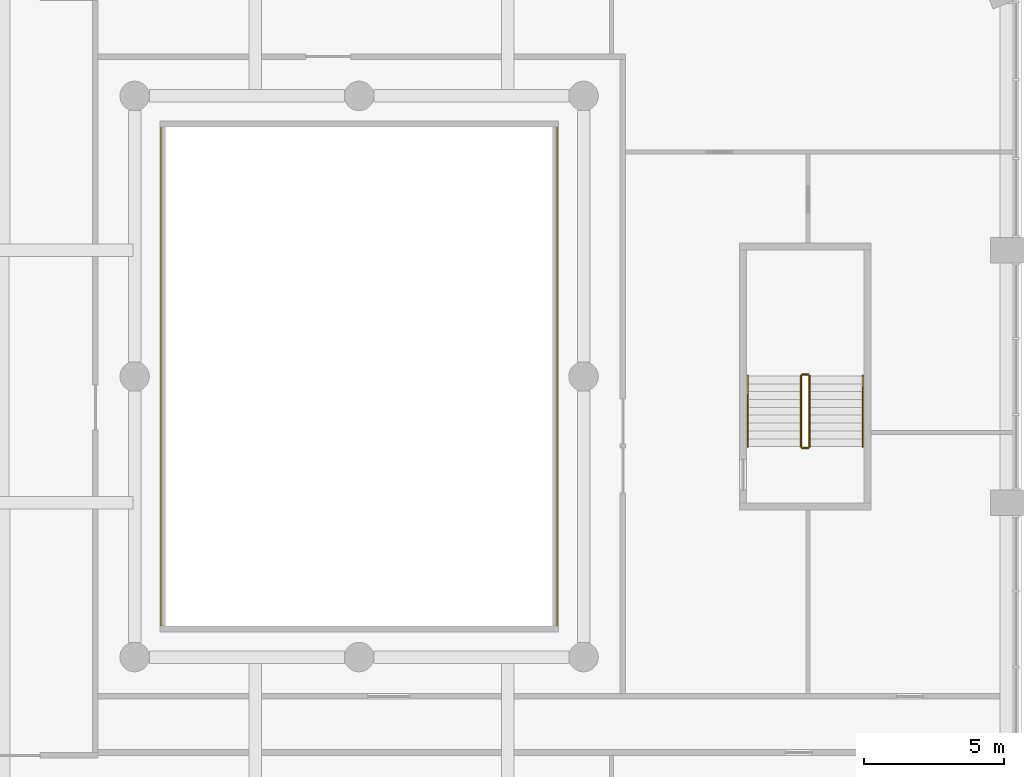
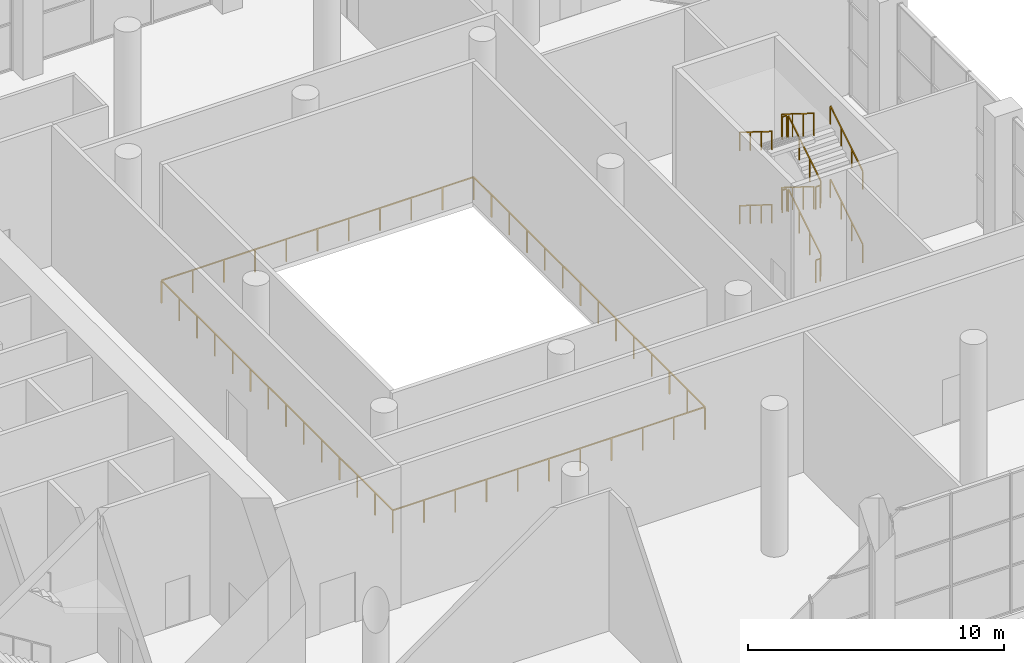
# One storey, part 19 of 22: 13 railings.
"""IFC4 building model written with IfcOpenShell, lengths in metres."""

import ifcopenshell
import ifcopenshell.guid

model = None  # the IFC model being written
_history = None  # IfcOwnerHistory: only IFC2X3 demands one
_inside = {}  # id of a spatial element -> (the spatial element, [elements in it])
_under = {}  # id of a project, library or spatial element -> (it, [spatial elements below it])
_declared = {}  # id of a project -> (the project, [libraries it declares])
_typed = {}  # id of a type object -> (the type object, [elements of that type])
_made_of = {}  # id of a material, layer set ... -> (it, [elements and type objects made of it])


def new_model(schema):
    """Start an empty IFC model of exactly this schema.

    Asked for "IFC4X3", IfcOpenShell would pick the latest addendum, in which some entities
    have other attributes; the version numbers below select the first issue.
    IFC2X3 requires an IfcOwnerHistory on every rooted entity: one is made here for all.
    """
    global model, _history
    if schema == "IFC4X3":
        model = ifcopenshell.file(schema_version=(4, 3, 0, 0))
    else:
        model = ifcopenshell.file(schema=schema)
    _inside.clear()
    _under.clear()
    _declared.clear()
    _typed.clear()
    _made_of.clear()
    _history = None
    if model.schema == "IFC2X3":
        org = make("IfcOrganization", Name="unknown")
        user = make(
            "IfcPersonAndOrganization",
            ThePerson=make("IfcPerson", FamilyName="unknown"),
            TheOrganization=org,
        )
        app = make(
            "IfcApplication",
            ApplicationDeveloper=org,
            Version="unknown",
            ApplicationFullName="unknown",
            ApplicationIdentifier="unknown",
        )
        _history = make(
            "IfcOwnerHistory",
            OwningUser=user,
            OwningApplication=app,
            ChangeAction="ADDED",
            CreationDate=0,
        )
    return model


def make(cls, **values):
    """One entity of the class cls with the attributes given. An attribute that is None is left unset."""
    return model.create_entity(
        cls, **{name: value for name, value in values.items() if value is not None}
    )


def rooted(cls, **values):
    """An entity with a GlobalId (a new one), such as an element, a storey or a relation."""
    return make(cls, GlobalId=ifcopenshell.guid.new(), OwnerHistory=_history, **values)


def si_unit(unit_type, name, prefix=None):
    """IfcSIUnit, for example si_unit("LENGTHUNIT", "METRE", prefix="MILLI")."""
    return make("IfcSIUnit", UnitType=unit_type, Prefix=prefix, Name=name)


def assignment(units):
    """IfcUnitAssignment: the units of a project."""
    return None if units is None else make("IfcUnitAssignment", Units=units)


def point(xyz):
    """IfcCartesianPoint."""
    return None if xyz is None else make("IfcCartesianPoint", Coordinates=xyz)


def direction(xyz):
    """IfcDirection."""
    return None if xyz is None else make("IfcDirection", DirectionRatios=xyz)


def frame(location, z_axis=None, x_axis=None):
    """IfcAxis2Placement3D, a coordinate frame: its origin and axes. An axis left out is left unset."""
    return make(
        "IfcAxis2Placement3D",
        Location=point(location),
        Axis=direction(z_axis),
        RefDirection=direction(x_axis),
    )


def frame_2d(location, x_axis=None):
    """IfcAxis2Placement2D, a coordinate frame in the plane: its origin and x axis."""
    return make(
        "IfcAxis2Placement2D", Location=point(location), RefDirection=direction(x_axis)
    )


def origin():
    """The frame at (0, 0, 0) with its axes left unset."""
    return frame((0.0, 0.0, 0.0))


def origin_2d():
    """The frame at (0, 0) in the plane with its x axis left unset."""
    return frame_2d((0.0, 0.0))


def place(relative_to, where):
    """IfcLocalPlacement: puts the frame where relative to a parent placement (None: the world)."""
    return make(
        "IfcLocalPlacement", PlacementRelTo=relative_to, RelativePlacement=where
    )


def context(
    kind, dimensions, precision=None, world=None, true_north=None, identifier=None
):
    """IfcGeometricRepresentationContext, for example the 3D "Model" context."""
    return make(
        "IfcGeometricRepresentationContext",
        ContextIdentifier=identifier,
        ContextType=kind,
        CoordinateSpaceDimension=dimensions,
        Precision=precision,
        WorldCoordinateSystem=world,
        TrueNorth=true_north,
    )


def subcontext(parent, identifier, kind, view, scale=None):
    """IfcGeometricRepresentationSubContext, for example "Body" below "Model"."""
    return make(
        "IfcGeometricRepresentationSubContext",
        ContextIdentifier=identifier,
        ContextType=kind,
        ParentContext=parent,
        TargetScale=scale,
        TargetView=view,
    )


def project(units=None, contexts=None):
    """IfcProject with its units and contexts."""
    return rooted(
        "IfcProject",
        Name="project",
        RepresentationContexts=contexts,
        UnitsInContext=assignment(units),
    )


def spatial(cls, under=None, at=None, **own):
    """A site, building, storey or space (cls), placed at a placement, below another one or the project."""
    s = rooted(cls, ObjectPlacement=at, **own)
    if under is not None:
        _under.setdefault(under.id(), (under, []))[1].append(s)
    return s


def profile(cls, at=None, kind="AREA", **sizes):
    """A parametric profile (cls). Its sizes go by their IFC names, for example OverallWidth=200.0."""
    return make(cls, ProfileType=kind, Position=at, **sizes)


def rectangle(**sizes):
    """IfcRectangleProfileDef."""
    return profile("IfcRectangleProfileDef", **sizes)


def extrude(swept, where, along, depth):
    """IfcExtrudedAreaSolid: the profile swept, set in the frame where, extruded along a direction by depth."""
    return make(
        "IfcExtrudedAreaSolid",
        SweptArea=swept,
        Position=where,
        ExtrudedDirection=direction(along),
        Depth=depth,
    )


def shape(context_of_items, identifier, shape_type, items):
    """IfcShapeRepresentation: the items that make up one representation, for example the "Body"."""
    return make(
        "IfcShapeRepresentation",
        ContextOfItems=context_of_items,
        RepresentationIdentifier=identifier,
        RepresentationType=shape_type,
        Items=items,
    )


def material(Name=None, Category=None):
    """IfcMaterial."""
    return make("IfcMaterial", Name=Name, Category=Category)


def made_of(thing, what):
    """Note that an element or type object is made of a material, layer set ...; save() writes the relation."""
    if what is not None:
        _made_of.setdefault(what.id(), (what, []))[1].append(thing)
    return thing


def type_object(cls, material=None, **own):
    """A type object (cls), such as IfcWallType, which elements share."""
    return made_of(rooted(cls, **own), material)


def element(
    cls,
    number,
    at=None,
    inside=None,
    cuts=None,
    type_object=None,
    material=None,
    context=None,
    identifier="Body",
    shape_type=None,
    held_by="IfcProductDefinitionShape",
    body=None,
    shapes=None,
    **own,
):
    """One element of the class cls, such as IfcWall. Its Tag is "e" and its number.

    at: its placement. inside: the storey or other place that contains it. cuts: it is an
    opening in that element (IfcRelVoidsElement). A single representation is given by context,
    identifier, shape_type and body (its items); several are given by shapes. held_by: the class
    of the entity that holds the representations. save() writes the other relations.
    """
    e = rooted(cls, Tag="e%d" % number, ObjectPlacement=at, **own)
    if body is not None:
        shapes = [shape(context, identifier, shape_type, body)]
    if shapes is not None:
        e.Representation = make(held_by, Representations=shapes)
    if inside is not None:
        _inside.setdefault(inside.id(), (inside, []))[1].append(e)
    if cuts is not None:
        rooted(
            "IfcRelVoidsElement", RelatingBuildingElement=cuts, RelatedOpeningElement=e
        )
    if type_object is not None:
        _typed.setdefault(type_object.id(), (type_object, []))[1].append(e)
    return made_of(e, material)


def aggregate(whole, parts):
    """IfcRelAggregates: a whole, such as a stair, and the parts it consists of."""
    return rooted("IfcRelAggregates", RelatingObject=whole, RelatedObjects=parts)


def save(model, path):
    """Write the relations noted so far, then the file.

    IfcRelAggregates (storeys below a building ...), IfcRelContainedInSpatialStructure (elements
    in a storey), IfcRelDefinesByType, IfcRelAssociatesMaterial and IfcRelDeclares: one each for
    every whole, place, type object, material and project.
    """
    for whole, parts in _under.values():
        aggregate(whole, parts)
    for where, things in _inside.values():
        rooted(
            "IfcRelContainedInSpatialStructure",
            RelatedElements=things,
            RelatingStructure=where,
        )
    for kind, things in _typed.values():
        rooted("IfcRelDefinesByType", RelatedObjects=things, RelatingType=kind)
    for what, things in _made_of.values():
        rooted("IfcRelAssociatesMaterial", RelatedObjects=things, RelatingMaterial=what)
    for by, libraries in _declared.values():
        rooted("IfcRelDeclares", RelatingContext=by, RelatedDefinitions=libraries)
    model.write(path)


model = new_model("IFC4")

# Units and contexts
model_context = context("Model", 3, precision=1e-05, world=origin(), true_north=direction((0.0, 1.0)))
body_context = subcontext(model_context, "Body", "Model", "MODEL_VIEW")
ifc_project = project(units=[si_unit("LENGTHUNIT", "METRE"), si_unit("AREAUNIT", "SQUARE_METRE"), si_unit("VOLUMEUNIT", "CUBIC_METRE"), si_unit("PLANEANGLEUNIT", "RADIAN"), si_unit("MASSUNIT", "GRAM", prefix="KILO")], contexts=[model_context])

# Site, building, storey
site_placement = place(None, origin())
site = spatial("IfcSite", under=ifc_project, at=site_placement, CompositionType="ELEMENT")
building_placement = place(site_placement, origin())
building = spatial("IfcBuilding", under=site, at=building_placement, Name="Cypress Arch Tower", CompositionType="ELEMENT")
storey_placement = place(building_placement, frame((0.0, 0.0, 145.5)))
storey = spatial("IfcBuildingStorey", under=building, at=storey_placement, Name="L32", CompositionType="ELEMENT", Elevation=145.5)

# Railings
ifc_material_1 = material(Name="Stainless steel posts and handrail, laminated glass infill", Category="steel")
railing_type_1 = type_object("IfcRailingType", Name="Atrium guard GR1100A", PredefinedType="GUARDRAIL", material=ifc_material_1)
railing_1_placement = place(storey_placement, frame((8.050048828125, -9.050048828125, 0.0)))
element("IfcRailing", 1, at=railing_1_placement, inside=storey, type_object=railing_type_1, Name="Atrium guard L32", PredefinedType="GUARDRAIL", context=body_context, shape_type="SweptSolid", body=[
    extrude(rectangle(XDim=0.050048828125, YDim=0.050048828125, at=origin_2d()), frame((0.0, 0.0, 1.0751953125), z_axis=(-1.0, 0.0, 0.0), x_axis=(0.0, -1.0, 0.0)), (0.0, 0.0, 1.0), 14.10009765625),
    extrude(rectangle(XDim=0.050048828125, YDim=0.050048828125, at=origin_2d()), frame((-14.10009765625, 0.0, 1.0751953125), z_axis=(0.0, 1.0, 0.0), x_axis=(-1.0, 0.0, 0.0)), (0.0, 0.0, 1.0), 18.10009765625),
    extrude(rectangle(XDim=0.050048828125, YDim=0.050048828125, at=origin_2d()), frame((-14.10009765625, 18.10009765625, 1.0751953125), z_axis=(1.0, 0.0, 0.0), x_axis=(0.0, 1.0, 0.0)), (0.0, 0.0, 1.0), 14.10009765625),
    extrude(rectangle(XDim=0.050048828125, YDim=0.050048828125, at=origin_2d()), frame((0.0, 18.10009765625, 1.0751953125), z_axis=(0.0, -1.0, 0.0), x_axis=(1.0, 0.0, 0.0)), (0.0, 0.0, 1.0), 18.10009765625),
    extrude(rectangle(XDim=0.050048828125, YDim=0.050048828125, at=origin_2d()), origin(), (0.0, 0.0, 1.0), 1.050048828125),
    extrude(rectangle(XDim=0.050048828125, YDim=0.050048828125, at=origin_2d()), frame((-1.409912109375, 0.0, 0.0)), (0.0, 0.0, 1.0), 1.050048828125),
    extrude(rectangle(XDim=0.050048828125, YDim=0.050048828125, at=origin_2d()), frame((-2.820068359375, 0.0, 0.0)), (0.0, 0.0, 1.0), 1.050048828125),
    extrude(rectangle(XDim=0.050048828125, YDim=0.050048828125, at=origin_2d()), frame((-4.22998046875, 0.0, 0.0)), (0.0, 0.0, 1.0), 1.050048828125),
    extrude(rectangle(XDim=0.050048828125, YDim=0.050048828125, at=origin_2d()), frame((-5.64013671875, 0.0, 0.0)), (0.0, 0.0, 1.0), 1.050048828125),
    extrude(rectangle(XDim=0.050048828125, YDim=0.050048828125, at=origin_2d()), frame((-7.050048828125, 0.0, 0.0)), (0.0, 0.0, 1.0), 1.050048828125),
    extrude(rectangle(XDim=0.050048828125, YDim=0.050048828125, at=origin_2d()), frame((-8.4599609375, 0.0, 0.0)), (0.0, 0.0, 1.0), 1.050048828125),
    extrude(rectangle(XDim=0.050048828125, YDim=0.050048828125, at=origin_2d()), frame((-9.8701171875, 0.0, 0.0)), (0.0, 0.0, 1.0), 1.050048828125),
    extrude(rectangle(XDim=0.050048828125, YDim=0.050048828125, at=origin_2d()), frame((-11.280029296875, 0.0, 0.0)), (0.0, 0.0, 1.0), 1.050048828125),
    extrude(rectangle(XDim=0.050048828125, YDim=0.050048828125, at=origin_2d()), frame((-12.690185546875, 0.0, 0.0)), (0.0, 0.0, 1.0), 1.050048828125),
    extrude(rectangle(XDim=0.050048828125, YDim=0.050048828125, at=origin_2d()), frame((-14.10009765625, 0.0, 0.0)), (0.0, 0.0, 1.0), 1.050048828125),
    extrude(rectangle(XDim=0.050048828125, YDim=0.050048828125, at=origin_2d()), frame((-14.10009765625, 1.392333984375, 0.0)), (0.0, 0.0, 1.0), 1.050048828125),
    extrude(rectangle(XDim=0.050048828125, YDim=0.050048828125, at=origin_2d()), frame((-14.10009765625, 2.78466796875, 0.0)), (0.0, 0.0, 1.0), 1.050048828125),
    extrude(rectangle(XDim=0.050048828125, YDim=0.050048828125, at=origin_2d()), frame((-14.10009765625, 4.177001953125, 0.0)), (0.0, 0.0, 1.0), 1.050048828125),
    extrude(rectangle(XDim=0.050048828125, YDim=0.050048828125, at=origin_2d()), frame((-14.10009765625, 5.5693359375, 0.0)), (0.0, 0.0, 1.0), 1.050048828125),
    extrude(rectangle(XDim=0.050048828125, YDim=0.050048828125, at=origin_2d()), frame((-14.10009765625, 6.961669921875, 0.0)), (0.0, 0.0, 1.0), 1.050048828125),
    extrude(rectangle(XDim=0.050048828125, YDim=0.050048828125, at=origin_2d()), frame((-14.10009765625, 8.35400390625, 0.0)), (0.0, 0.0, 1.0), 1.050048828125),
    extrude(rectangle(XDim=0.050048828125, YDim=0.050048828125, at=origin_2d()), frame((-14.10009765625, 9.74609375, 0.0)), (0.0, 0.0, 1.0), 1.050048828125),
    extrude(rectangle(XDim=0.050048828125, YDim=0.050048828125, at=origin_2d()), frame((-14.10009765625, 11.138427734375, 0.0)), (0.0, 0.0, 1.0), 1.050048828125),
    extrude(rectangle(XDim=0.050048828125, YDim=0.050048828125, at=origin_2d()), frame((-14.10009765625, 12.53076171875, 0.0)), (0.0, 0.0, 1.0), 1.050048828125),
    extrude(rectangle(XDim=0.050048828125, YDim=0.050048828125, at=origin_2d()), frame((-14.10009765625, 13.923095703125, 0.0)), (0.0, 0.0, 1.0), 1.050048828125),
    extrude(rectangle(XDim=0.050048828125, YDim=0.050048828125, at=origin_2d()), frame((-14.10009765625, 15.3154296875, 0.0)), (0.0, 0.0, 1.0), 1.050048828125),
    extrude(rectangle(XDim=0.050048828125, YDim=0.050048828125, at=origin_2d()), frame((-14.10009765625, 16.707763671875, 0.0)), (0.0, 0.0, 1.0), 1.050048828125),
    extrude(rectangle(XDim=0.050048828125, YDim=0.050048828125, at=origin_2d()), frame((-14.10009765625, 18.10009765625, 0.0)), (0.0, 0.0, 1.0), 1.050048828125),
    extrude(rectangle(XDim=0.050048828125, YDim=0.050048828125, at=origin_2d()), frame((-12.690185546875, 18.10009765625, 0.0)), (0.0, 0.0, 1.0), 1.050048828125),
    extrude(rectangle(XDim=0.050048828125, YDim=0.050048828125, at=origin_2d()), frame((-11.280029296875, 18.10009765625, 0.0)), (0.0, 0.0, 1.0), 1.050048828125),
    extrude(rectangle(XDim=0.050048828125, YDim=0.050048828125, at=origin_2d()), frame((-9.8701171875, 18.10009765625, 0.0)), (0.0, 0.0, 1.0), 1.050048828125),
    extrude(rectangle(XDim=0.050048828125, YDim=0.050048828125, at=origin_2d()), frame((-8.4599609375, 18.10009765625, 0.0)), (0.0, 0.0, 1.0), 1.050048828125),
    extrude(rectangle(XDim=0.050048828125, YDim=0.050048828125, at=origin_2d()), frame((-7.050048828125, 18.10009765625, 0.0)), (0.0, 0.0, 1.0), 1.050048828125),
    extrude(rectangle(XDim=0.050048828125, YDim=0.050048828125, at=origin_2d()), frame((-5.64013671875, 18.10009765625, 0.0)), (0.0, 0.0, 1.0), 1.050048828125),
    extrude(rectangle(XDim=0.050048828125, YDim=0.050048828125, at=origin_2d()), frame((-4.22998046875, 18.10009765625, 0.0)), (0.0, 0.0, 1.0), 1.050048828125),
    extrude(rectangle(XDim=0.050048828125, YDim=0.050048828125, at=origin_2d()), frame((-2.820068359375, 18.10009765625, 0.0)), (0.0, 0.0, 1.0), 1.050048828125),
    extrude(rectangle(XDim=0.050048828125, YDim=0.050048828125, at=origin_2d()), frame((-1.409912109375, 18.10009765625, 0.0)), (0.0, 0.0, 1.0), 1.050048828125),
    extrude(rectangle(XDim=0.050048828125, YDim=0.050048828125, at=origin_2d()), frame((0.0, 18.10009765625, 0.0)), (0.0, 0.0, 1.0), 1.050048828125),
    extrude(rectangle(XDim=0.050048828125, YDim=0.050048828125, at=origin_2d()), frame((0.0, 16.707763671875, 0.0)), (0.0, 0.0, 1.0), 1.050048828125),
    extrude(rectangle(XDim=0.050048828125, YDim=0.050048828125, at=origin_2d()), frame((0.0, 15.3154296875, 0.0)), (0.0, 0.0, 1.0), 1.050048828125),
    extrude(rectangle(XDim=0.050048828125, YDim=0.050048828125, at=origin_2d()), frame((0.0, 13.923095703125, 0.0)), (0.0, 0.0, 1.0), 1.050048828125),
    extrude(rectangle(XDim=0.050048828125, YDim=0.050048828125, at=origin_2d()), frame((0.0, 12.53076171875, 0.0)), (0.0, 0.0, 1.0), 1.050048828125),
    extrude(rectangle(XDim=0.050048828125, YDim=0.050048828125, at=origin_2d()), frame((0.0, 11.138427734375, 0.0)), (0.0, 0.0, 1.0), 1.050048828125),
    extrude(rectangle(XDim=0.050048828125, YDim=0.050048828125, at=origin_2d()), frame((0.0, 9.74609375, 0.0)), (0.0, 0.0, 1.0), 1.050048828125),
    extrude(rectangle(XDim=0.050048828125, YDim=0.050048828125, at=origin_2d()), frame((0.0, 8.35400390625, 0.0)), (0.0, 0.0, 1.0), 1.050048828125),
    extrude(rectangle(XDim=0.050048828125, YDim=0.050048828125, at=origin_2d()), frame((0.0, 6.961669921875, 0.0)), (0.0, 0.0, 1.0), 1.050048828125),
    extrude(rectangle(XDim=0.050048828125, YDim=0.050048828125, at=origin_2d()), frame((0.0, 5.5693359375, 0.0)), (0.0, 0.0, 1.0), 1.050048828125),
    extrude(rectangle(XDim=0.050048828125, YDim=0.050048828125, at=origin_2d()), frame((0.0, 4.177001953125, 0.0)), (0.0, 0.0, 1.0), 1.050048828125),
    extrude(rectangle(XDim=0.050048828125, YDim=0.050048828125, at=origin_2d()), frame((0.0, 2.78466796875, 0.0)), (0.0, 0.0, 1.0), 1.050048828125),
    extrude(rectangle(XDim=0.050048828125, YDim=0.050048828125, at=origin_2d()), frame((0.0, 1.392333984375, 0.0)), (0.0, 0.0, 1.0), 1.050048828125),
])
ifc_material_2 = material(Name="Black powder-coated steel square bar 48 mm", Category="steel")
railing_type_2 = type_object("IfcRailingType", Name="Stair handrail HR1", PredefinedType="HANDRAIL", material=ifc_material_2)
railing_2_placement = place(storey_placement, frame((18.949951171875, -2.5, 0.175048828125)))
element("IfcRailing", 2, at=railing_2_placement, inside=storey, type_object=railing_type_2, Name="L32 C stair handrail 1", PredefinedType="HANDRAIL", context=body_context, shape_type="SweptSolid", body=[
    extrude(rectangle(XDim=0.048095703125, YDim=0.048095703125, at=origin_2d()), frame((0.0, 0.0, 0.8759765625), z_axis=(0.0, 0.848007534815, 0.529984170421), x_axis=(-1.0, 0.0, 0.0)), (0.0, 0.0, 1.0), 2.9716796875),
    extrude(rectangle(XDim=0.0419921875, YDim=0.0419921875, at=origin_2d()), origin(), (0.0, 0.0, 1.0), 0.851806640625),
    extrude(rectangle(XDim=0.0419921875, YDim=0.0419921875, at=origin_2d()), frame((0.0, 0.840087890625, 0.52490234375)), (0.0, 0.0, 1.0), 0.851806640625),
    extrude(rectangle(XDim=0.0419921875, YDim=0.0419921875, at=origin_2d()), frame((0.0, 1.679931640625, 1.050048828125)), (0.0, 0.0, 1.0), 0.851806640625),
    extrude(rectangle(XDim=0.0419921875, YDim=0.0419921875, at=origin_2d()), frame((0.0, 2.52001953125, 1.574951171875)), (0.0, 0.0, 1.0), 0.851806640625),
])
railing_3_placement = place(storey_placement, frame((14.85009765625, 0.02001953125, 1.925048828125)))
element("IfcRailing", 3, at=railing_3_placement, inside=storey, type_object=railing_type_2, Name="L32 C stair handrail 2", PredefinedType="HANDRAIL", context=body_context, shape_type="SweptSolid", body=[
    extrude(rectangle(XDim=0.048095703125, YDim=0.048095703125, at=origin_2d()), frame((0.0, 0.0, 0.8759765625), z_axis=(0.0, -0.848007534815, 0.529984170421), x_axis=(1.0, 0.0, 0.0)), (0.0, 0.0, 1.0), 2.9716796875),
    extrude(rectangle(XDim=0.0419921875, YDim=0.0419921875, at=origin_2d()), origin(), (0.0, 0.0, 1.0), 0.851806640625),
    extrude(rectangle(XDim=0.0419921875, YDim=0.0419921875, at=origin_2d()), frame((0.0, -0.840087890625, 0.52490234375)), (0.0, 0.0, 1.0), 0.851806640625),
    extrude(rectangle(XDim=0.0419921875, YDim=0.0419921875, at=origin_2d()), frame((0.0, -1.679931640625, 1.050048828125)), (0.0, 0.0, 1.0), 0.851806640625),
    extrude(rectangle(XDim=0.0419921875, YDim=0.0419921875, at=origin_2d()), frame((0.0, -2.52001953125, 1.574951171875)), (0.0, 0.0, 1.0), 0.851806640625),
])
railing_4_placement = place(storey_placement, frame((18.949951171875, -2.5, 3.675048828125)))
element("IfcRailing", 4, at=railing_4_placement, inside=storey, type_object=railing_type_2, Name="L32 C stair handrail 3", PredefinedType="HANDRAIL", context=body_context, shape_type="SweptSolid", body=[
    extrude(rectangle(XDim=0.048095703125, YDim=0.048095703125, at=origin_2d()), frame((0.0, 0.0, 0.8759765625), z_axis=(0.0, 0.848007534815, 0.529984170421), x_axis=(-1.0, 0.0, 0.0)), (0.0, 0.0, 1.0), 2.9716796875),
    extrude(rectangle(XDim=0.0419921875, YDim=0.0419921875, at=origin_2d()), origin(), (0.0, 0.0, 1.0), 0.851806640625),
    extrude(rectangle(XDim=0.0419921875, YDim=0.0419921875, at=origin_2d()), frame((0.0, 0.840087890625, 0.52490234375)), (0.0, 0.0, 1.0), 0.851806640625),
    extrude(rectangle(XDim=0.0419921875, YDim=0.0419921875, at=origin_2d()), frame((0.0, 1.679931640625, 1.050048828125)), (0.0, 0.0, 1.0), 0.851806640625),
    extrude(rectangle(XDim=0.0419921875, YDim=0.0419921875, at=origin_2d()), frame((0.0, 2.52001953125, 1.574951171875)), (0.0, 0.0, 1.0), 0.851806640625),
])
railing_5_placement = place(storey_placement, frame((14.85009765625, 0.02001953125, 5.425048828125)))
element("IfcRailing", 5, at=railing_5_placement, inside=storey, type_object=railing_type_2, Name="L32 C stair handrail 4", PredefinedType="HANDRAIL", context=body_context, shape_type="SweptSolid", body=[
    extrude(rectangle(XDim=0.048095703125, YDim=0.048095703125, at=origin_2d()), frame((0.0, 0.0, 0.8759765625), z_axis=(0.0, -0.848007534815, 0.529984170421), x_axis=(1.0, 0.0, 0.0)), (0.0, 0.0, 1.0), 2.9716796875),
    extrude(rectangle(XDim=0.0419921875, YDim=0.0419921875, at=origin_2d()), origin(), (0.0, 0.0, 1.0), 0.851806640625),
    extrude(rectangle(XDim=0.0419921875, YDim=0.0419921875, at=origin_2d()), frame((0.0, -0.840087890625, 0.52490234375)), (0.0, 0.0, 1.0), 0.851806640625),
    extrude(rectangle(XDim=0.0419921875, YDim=0.0419921875, at=origin_2d()), frame((0.0, -1.679931640625, 1.050048828125)), (0.0, 0.0, 1.0), 0.851806640625),
    extrude(rectangle(XDim=0.0419921875, YDim=0.0419921875, at=origin_2d()), frame((0.0, -2.52001953125, 1.574951171875)), (0.0, 0.0, 1.0), 0.851806640625),
])
ifc_material_3 = material(Name="Black powder-coated steel balusters", Category="steel")
railing_type_3 = type_object("IfcRailingType", Name="Stair well guard G1", PredefinedType="GUARDRAIL", material=ifc_material_3)
railing_6_placement = place(storey_placement, frame((17.050048828125, -2.5, 0.175048828125)))
element("IfcRailing", 6, at=railing_6_placement, inside=storey, type_object=railing_type_3, Name="L32 C stair guard 1", PredefinedType="GUARDRAIL", context=body_context, shape_type="SweptSolid", body=[
    extrude(rectangle(XDim=0.048095703125, YDim=0.048095703125, at=origin_2d()), frame((0.0, 0.0, 1.076171875), z_axis=(0.0, 0.848007534815, 0.529984170421), x_axis=(-1.0, 0.0, 0.0)), (0.0, 0.0, 1.0), 2.9716796875),
    extrude(rectangle(XDim=0.0419921875, YDim=0.0419921875, at=origin_2d()), origin(), (0.0, 0.0, 1.0), 1.052001953125),
    extrude(rectangle(XDim=0.0419921875, YDim=0.0419921875, at=origin_2d()), frame((0.0, 0.840087890625, 0.52490234375)), (0.0, 0.0, 1.0), 1.052001953125),
    extrude(rectangle(XDim=0.0419921875, YDim=0.0419921875, at=origin_2d()), frame((0.0, 1.679931640625, 1.050048828125)), (0.0, 0.0, 1.0), 1.052001953125),
    extrude(rectangle(XDim=0.0419921875, YDim=0.0419921875, at=origin_2d()), frame((0.0, 2.52001953125, 1.574951171875)), (0.0, 0.0, 1.0), 1.052001953125),
])
railing_7_placement = place(storey_placement, frame((17.0, 0.070068359375, 1.75)))
element("IfcRailing", 7, at=railing_7_placement, inside=storey, type_object=railing_type_3, Name="L32 C stair guard 2", PredefinedType="GUARDRAIL", context=body_context, shape_type="SweptSolid", body=[
    extrude(rectangle(XDim=0.048095703125, YDim=0.048095703125, at=origin_2d()), frame((0.0, 0.0, 1.076171875), z_axis=(-1.0, 0.0, 0.0), x_axis=(0.0, -1.0, 0.0)), (0.0, 0.0, 1.0), 0.199951171875),
    extrude(rectangle(XDim=0.0419921875, YDim=0.0419921875, at=origin_2d()), origin(), (0.0, 0.0, 1.0), 1.052001953125),
    extrude(rectangle(XDim=0.0419921875, YDim=0.0419921875, at=origin_2d()), frame((-0.199951171875, 0.0, 0.0)), (0.0, 0.0, 1.0), 1.052001953125),
])
railing_8_placement = place(storey_placement, frame((16.75, 0.02001953125, 1.925048828125)))
element("IfcRailing", 8, at=railing_8_placement, inside=storey, type_object=railing_type_3, Name="L32 C stair guard 3", PredefinedType="GUARDRAIL", context=body_context, shape_type="SweptSolid", body=[
    extrude(rectangle(XDim=0.048095703125, YDim=0.048095703125, at=origin_2d()), frame((0.0, 0.0, 1.076171875), z_axis=(0.0, -0.848007534815, 0.529984170421), x_axis=(1.0, 0.0, 0.0)), (0.0, 0.0, 1.0), 2.9716796875),
    extrude(rectangle(XDim=0.0419921875, YDim=0.0419921875, at=origin_2d()), origin(), (0.0, 0.0, 1.0), 1.052001953125),
    extrude(rectangle(XDim=0.0419921875, YDim=0.0419921875, at=origin_2d()), frame((0.0, -0.840087890625, 0.52490234375)), (0.0, 0.0, 1.0), 1.052001953125),
    extrude(rectangle(XDim=0.0419921875, YDim=0.0419921875, at=origin_2d()), frame((0.0, -1.679931640625, 1.050048828125)), (0.0, 0.0, 1.0), 1.052001953125),
    extrude(rectangle(XDim=0.0419921875, YDim=0.0419921875, at=origin_2d()), frame((0.0, -2.52001953125, 1.574951171875)), (0.0, 0.0, 1.0), 1.052001953125),
])
railing_9_placement = place(storey_placement, frame((17.0, -2.550048828125, 3.5)))
element("IfcRailing", 9, at=railing_9_placement, inside=storey, type_object=railing_type_3, Name="L32 C stair guard 4", PredefinedType="GUARDRAIL", context=body_context, shape_type="SweptSolid", body=[
    extrude(rectangle(XDim=0.048095703125, YDim=0.048095703125, at=origin_2d()), frame((0.0, 0.0, 1.076171875), z_axis=(-1.0, 0.0, 0.0), x_axis=(0.0, -1.0, 0.0)), (0.0, 0.0, 1.0), 0.199951171875),
    extrude(rectangle(XDim=0.0419921875, YDim=0.0419921875, at=origin_2d()), origin(), (0.0, 0.0, 1.0), 1.052001953125),
    extrude(rectangle(XDim=0.0419921875, YDim=0.0419921875, at=origin_2d()), frame((-0.199951171875, 0.0, 0.0)), (0.0, 0.0, 1.0), 1.052001953125),
])
railing_10_placement = place(storey_placement, frame((17.050048828125, -2.5, 3.675048828125)))
element("IfcRailing", 10, at=railing_10_placement, inside=storey, type_object=railing_type_3, Name="L32 C stair guard 5", PredefinedType="GUARDRAIL", context=body_context, shape_type="SweptSolid", body=[
    extrude(rectangle(XDim=0.048095703125, YDim=0.048095703125, at=origin_2d()), frame((0.0, 0.0, 1.076171875), z_axis=(0.0, 0.848007534815, 0.529984170421), x_axis=(-1.0, 0.0, 0.0)), (0.0, 0.0, 1.0), 2.9716796875),
    extrude(rectangle(XDim=0.0419921875, YDim=0.0419921875, at=origin_2d()), origin(), (0.0, 0.0, 1.0), 1.052001953125),
    extrude(rectangle(XDim=0.0419921875, YDim=0.0419921875, at=origin_2d()), frame((0.0, 0.840087890625, 0.52490234375)), (0.0, 0.0, 1.0), 1.052001953125),
    extrude(rectangle(XDim=0.0419921875, YDim=0.0419921875, at=origin_2d()), frame((0.0, 1.679931640625, 1.050048828125)), (0.0, 0.0, 1.0), 1.052001953125),
    extrude(rectangle(XDim=0.0419921875, YDim=0.0419921875, at=origin_2d()), frame((0.0, 2.52001953125, 1.574951171875)), (0.0, 0.0, 1.0), 1.052001953125),
])
railing_11_placement = place(storey_placement, frame((17.0, 0.070068359375, 5.25)))
element("IfcRailing", 11, at=railing_11_placement, inside=storey, type_object=railing_type_3, Name="L32 C stair guard 6", PredefinedType="GUARDRAIL", context=body_context, shape_type="SweptSolid", body=[
    extrude(rectangle(XDim=0.048095703125, YDim=0.048095703125, at=origin_2d()), frame((0.0, 0.0, 1.076171875), z_axis=(-1.0, 0.0, 0.0), x_axis=(0.0, -1.0, 0.0)), (0.0, 0.0, 1.0), 0.199951171875),
    extrude(rectangle(XDim=0.0419921875, YDim=0.0419921875, at=origin_2d()), origin(), (0.0, 0.0, 1.0), 1.052001953125),
    extrude(rectangle(XDim=0.0419921875, YDim=0.0419921875, at=origin_2d()), frame((-0.199951171875, 0.0, 0.0)), (0.0, 0.0, 1.0), 1.052001953125),
])
railing_12_placement = place(storey_placement, frame((16.75, 0.02001953125, 5.425048828125)))
element("IfcRailing", 12, at=railing_12_placement, inside=storey, type_object=railing_type_3, Name="L32 C stair guard 7", PredefinedType="GUARDRAIL", context=body_context, shape_type="SweptSolid", body=[
    extrude(rectangle(XDim=0.048095703125, YDim=0.048095703125, at=origin_2d()), frame((0.0, 0.0, 1.076171875), z_axis=(0.0, -0.848007534815, 0.529984170421), x_axis=(1.0, 0.0, 0.0)), (0.0, 0.0, 1.0), 2.9716796875),
    extrude(rectangle(XDim=0.0419921875, YDim=0.0419921875, at=origin_2d()), origin(), (0.0, 0.0, 1.0), 1.052001953125),
    extrude(rectangle(XDim=0.0419921875, YDim=0.0419921875, at=origin_2d()), frame((0.0, -0.840087890625, 0.52490234375)), (0.0, 0.0, 1.0), 1.052001953125),
    extrude(rectangle(XDim=0.0419921875, YDim=0.0419921875, at=origin_2d()), frame((0.0, -1.679931640625, 1.050048828125)), (0.0, 0.0, 1.0), 1.052001953125),
    extrude(rectangle(XDim=0.0419921875, YDim=0.0419921875, at=origin_2d()), frame((0.0, -2.52001953125, 1.574951171875)), (0.0, 0.0, 1.0), 1.052001953125),
])
railing_13_placement = place(storey_placement, frame((17.0, -2.550048828125, 0.0)))
element("IfcRailing", 13, at=railing_13_placement, inside=storey, type_object=railing_type_3, Name="L32 C stair guard 8", PredefinedType="GUARDRAIL", context=body_context, shape_type="SweptSolid", body=[
    extrude(rectangle(XDim=0.048095703125, YDim=0.048095703125, at=origin_2d()), frame((0.0, 0.0, 1.076171875), z_axis=(-1.0, 0.0, 0.0), x_axis=(0.0, -1.0, 0.0)), (0.0, 0.0, 1.0), 0.199951171875),
    extrude(rectangle(XDim=0.0419921875, YDim=0.0419921875, at=origin_2d()), origin(), (0.0, 0.0, 1.0), 1.052001953125),
    extrude(rectangle(XDim=0.0419921875, YDim=0.0419921875, at=origin_2d()), frame((-0.199951171875, 0.0, 0.0)), (0.0, 0.0, 1.0), 1.052001953125),
])

save(model, "model.ifc")
